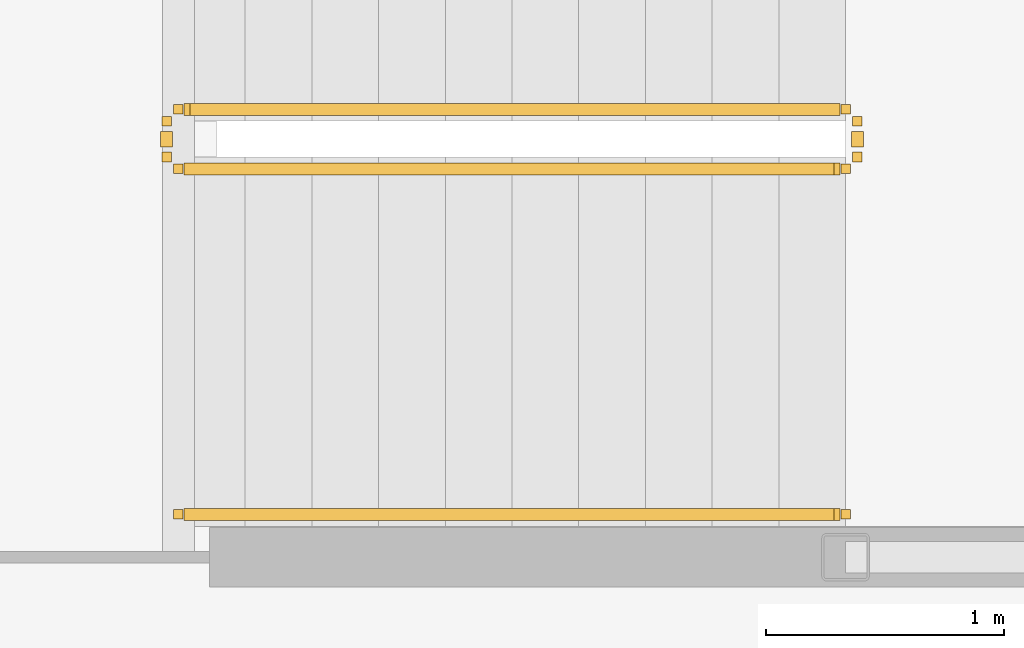
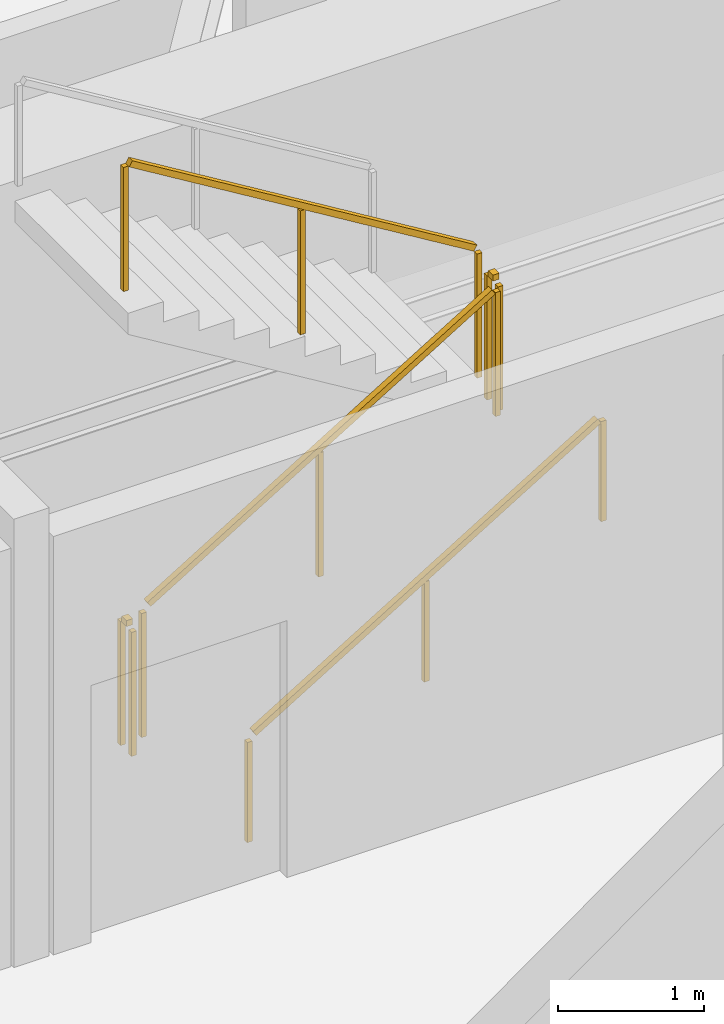
# One storey, part 19 of 20: 5 railings.
"""IFC4 building model written with IfcOpenShell, lengths in metres."""

import ifcopenshell
import ifcopenshell.guid

model = None  # the IFC model being written
_history = None  # IfcOwnerHistory: only IFC2X3 demands one
_inside = {}  # id of a spatial element -> (the spatial element, [elements in it])
_under = {}  # id of a project, library or spatial element -> (it, [spatial elements below it])
_declared = {}  # id of a project -> (the project, [libraries it declares])
_typed = {}  # id of a type object -> (the type object, [elements of that type])
_made_of = {}  # id of a material, layer set ... -> (it, [elements and type objects made of it])


def new_model(schema):
    """Start an empty IFC model of exactly this schema.

    Asked for "IFC4X3", IfcOpenShell would pick the latest addendum, in which some entities
    have other attributes; the version numbers below select the first issue.
    IFC2X3 requires an IfcOwnerHistory on every rooted entity: one is made here for all.
    """
    global model, _history
    if schema == "IFC4X3":
        model = ifcopenshell.file(schema_version=(4, 3, 0, 0))
    else:
        model = ifcopenshell.file(schema=schema)
    _inside.clear()
    _under.clear()
    _declared.clear()
    _typed.clear()
    _made_of.clear()
    _history = None
    if model.schema == "IFC2X3":
        org = make("IfcOrganization", Name="unknown")
        user = make(
            "IfcPersonAndOrganization",
            ThePerson=make("IfcPerson", FamilyName="unknown"),
            TheOrganization=org,
        )
        app = make(
            "IfcApplication",
            ApplicationDeveloper=org,
            Version="unknown",
            ApplicationFullName="unknown",
            ApplicationIdentifier="unknown",
        )
        _history = make(
            "IfcOwnerHistory",
            OwningUser=user,
            OwningApplication=app,
            ChangeAction="ADDED",
            CreationDate=0,
        )
    return model


def make(cls, **values):
    """One entity of the class cls with the attributes given. An attribute that is None is left unset."""
    return model.create_entity(
        cls, **{name: value for name, value in values.items() if value is not None}
    )


def rooted(cls, **values):
    """An entity with a GlobalId (a new one), such as an element, a storey or a relation."""
    return make(cls, GlobalId=ifcopenshell.guid.new(), OwnerHistory=_history, **values)


def si_unit(unit_type, name, prefix=None):
    """IfcSIUnit, for example si_unit("LENGTHUNIT", "METRE", prefix="MILLI")."""
    return make("IfcSIUnit", UnitType=unit_type, Prefix=prefix, Name=name)


def assignment(units):
    """IfcUnitAssignment: the units of a project."""
    return None if units is None else make("IfcUnitAssignment", Units=units)


def point(xyz):
    """IfcCartesianPoint."""
    return None if xyz is None else make("IfcCartesianPoint", Coordinates=xyz)


def direction(xyz):
    """IfcDirection."""
    return None if xyz is None else make("IfcDirection", DirectionRatios=xyz)


def frame(location, z_axis=None, x_axis=None):
    """IfcAxis2Placement3D, a coordinate frame: its origin and axes. An axis left out is left unset."""
    return make(
        "IfcAxis2Placement3D",
        Location=point(location),
        Axis=direction(z_axis),
        RefDirection=direction(x_axis),
    )


def frame_2d(location, x_axis=None):
    """IfcAxis2Placement2D, a coordinate frame in the plane: its origin and x axis."""
    return make(
        "IfcAxis2Placement2D", Location=point(location), RefDirection=direction(x_axis)
    )


def origin():
    """The frame at (0, 0, 0) with its axes left unset."""
    return frame((0.0, 0.0, 0.0))


def origin_2d():
    """The frame at (0, 0) in the plane with its x axis left unset."""
    return frame_2d((0.0, 0.0))


def place(relative_to, where):
    """IfcLocalPlacement: puts the frame where relative to a parent placement (None: the world)."""
    return make(
        "IfcLocalPlacement", PlacementRelTo=relative_to, RelativePlacement=where
    )


def context(
    kind, dimensions, precision=None, world=None, true_north=None, identifier=None
):
    """IfcGeometricRepresentationContext, for example the 3D "Model" context."""
    return make(
        "IfcGeometricRepresentationContext",
        ContextIdentifier=identifier,
        ContextType=kind,
        CoordinateSpaceDimension=dimensions,
        Precision=precision,
        WorldCoordinateSystem=world,
        TrueNorth=true_north,
    )


def subcontext(parent, identifier, kind, view, scale=None):
    """IfcGeometricRepresentationSubContext, for example "Body" below "Model"."""
    return make(
        "IfcGeometricRepresentationSubContext",
        ContextIdentifier=identifier,
        ContextType=kind,
        ParentContext=parent,
        TargetScale=scale,
        TargetView=view,
    )


def project(units=None, contexts=None):
    """IfcProject with its units and contexts."""
    return rooted(
        "IfcProject",
        Name="project",
        RepresentationContexts=contexts,
        UnitsInContext=assignment(units),
    )


def spatial(cls, under=None, at=None, **own):
    """A site, building, storey or space (cls), placed at a placement, below another one or the project."""
    s = rooted(cls, ObjectPlacement=at, **own)
    if under is not None:
        _under.setdefault(under.id(), (under, []))[1].append(s)
    return s


def profile(cls, at=None, kind="AREA", **sizes):
    """A parametric profile (cls). Its sizes go by their IFC names, for example OverallWidth=200.0."""
    return make(cls, ProfileType=kind, Position=at, **sizes)


def rectangle(**sizes):
    """IfcRectangleProfileDef."""
    return profile("IfcRectangleProfileDef", **sizes)


def extrude(swept, where, along, depth):
    """IfcExtrudedAreaSolid: the profile swept, set in the frame where, extruded along a direction by depth."""
    return make(
        "IfcExtrudedAreaSolid",
        SweptArea=swept,
        Position=where,
        ExtrudedDirection=direction(along),
        Depth=depth,
    )


def shape(context_of_items, identifier, shape_type, items):
    """IfcShapeRepresentation: the items that make up one representation, for example the "Body"."""
    return make(
        "IfcShapeRepresentation",
        ContextOfItems=context_of_items,
        RepresentationIdentifier=identifier,
        RepresentationType=shape_type,
        Items=items,
    )


def material(Name=None, Category=None):
    """IfcMaterial."""
    return make("IfcMaterial", Name=Name, Category=Category)


def made_of(thing, what):
    """Note that an element or type object is made of a material, layer set ...; save() writes the relation."""
    if what is not None:
        _made_of.setdefault(what.id(), (what, []))[1].append(thing)
    return thing


def type_object(cls, material=None, **own):
    """A type object (cls), such as IfcWallType, which elements share."""
    return made_of(rooted(cls, **own), material)


def element(
    cls,
    number,
    at=None,
    inside=None,
    cuts=None,
    type_object=None,
    material=None,
    context=None,
    identifier="Body",
    shape_type=None,
    held_by="IfcProductDefinitionShape",
    body=None,
    shapes=None,
    **own,
):
    """One element of the class cls, such as IfcWall. Its Tag is "e" and its number.

    at: its placement. inside: the storey or other place that contains it. cuts: it is an
    opening in that element (IfcRelVoidsElement). A single representation is given by context,
    identifier, shape_type and body (its items); several are given by shapes. held_by: the class
    of the entity that holds the representations. save() writes the other relations.
    """
    e = rooted(cls, Tag="e%d" % number, ObjectPlacement=at, **own)
    if body is not None:
        shapes = [shape(context, identifier, shape_type, body)]
    if shapes is not None:
        e.Representation = make(held_by, Representations=shapes)
    if inside is not None:
        _inside.setdefault(inside.id(), (inside, []))[1].append(e)
    if cuts is not None:
        rooted(
            "IfcRelVoidsElement", RelatingBuildingElement=cuts, RelatedOpeningElement=e
        )
    if type_object is not None:
        _typed.setdefault(type_object.id(), (type_object, []))[1].append(e)
    return made_of(e, material)


def aggregate(whole, parts):
    """IfcRelAggregates: a whole, such as a stair, and the parts it consists of."""
    return rooted("IfcRelAggregates", RelatingObject=whole, RelatedObjects=parts)


def save(model, path):
    """Write the relations noted so far, then the file.

    IfcRelAggregates (storeys below a building ...), IfcRelContainedInSpatialStructure (elements
    in a storey), IfcRelDefinesByType, IfcRelAssociatesMaterial and IfcRelDeclares: one each for
    every whole, place, type object, material and project.
    """
    for whole, parts in _under.values():
        aggregate(whole, parts)
    for where, things in _inside.values():
        rooted(
            "IfcRelContainedInSpatialStructure",
            RelatedElements=things,
            RelatingStructure=where,
        )
    for kind, things in _typed.values():
        rooted("IfcRelDefinesByType", RelatedObjects=things, RelatingType=kind)
    for what, things in _made_of.values():
        rooted("IfcRelAssociatesMaterial", RelatedObjects=things, RelatingMaterial=what)
    for by, libraries in _declared.values():
        rooted("IfcRelDeclares", RelatingContext=by, RelatedDefinitions=libraries)
    model.write(path)


model = new_model("IFC4")

# Units and contexts
model_context = context("Model", 3, precision=1e-05, world=origin(), true_north=direction((0.0, 1.0)))
body_context = subcontext(model_context, "Body", "Model", "MODEL_VIEW")
ifc_project = project(units=[si_unit("LENGTHUNIT", "METRE"), si_unit("AREAUNIT", "SQUARE_METRE"), si_unit("VOLUMEUNIT", "CUBIC_METRE"), si_unit("PLANEANGLEUNIT", "RADIAN"), si_unit("MASSUNIT", "GRAM", prefix="KILO")], contexts=[model_context])

# Site, building, storey
site_placement = place(None, origin())
site = spatial("IfcSite", under=ifc_project, at=site_placement, CompositionType="ELEMENT")
building_placement = place(site_placement, origin())
building = spatial("IfcBuilding", under=site, at=building_placement, Name="Kazma Halo Residences", CompositionType="ELEMENT")
storey_placement = place(building_placement, frame((0.0, 0.0, 139.050048828125)))
storey = spatial("IfcBuildingStorey", under=building, at=storey_placement, Name="L34", CompositionType="ELEMENT", Elevation=139.050048828125)

# Railings
ifc_material_1 = material(Name="Painted Steel S355", Category="steel")
railing_type_1 = type_object("IfcRailingType", Name="RLG-STAIR-GRD-1100", PredefinedType="GUARDRAIL", material=ifc_material_1)
railing_1_placement = place(storey_placement, frame((53.199951171875, 48.25, 0.17041015625)))
element("IfcRailing", 1, at=railing_1_placement, inside=storey, type_object=railing_type_1, Name="L34 ST-02 stair guard 1", PredefinedType="GUARDRAIL", context=body_context, shape_type="SweptSolid", body=[
    extrude(rectangle(XDim=0.050048828125, YDim=0.050048828125, at=origin_2d()), frame((0.036376953125, 0.0, 1.09716796875), z_axis=(0.854169791009, 0.0, 0.51999420009), x_axis=(0.0, 1.0, 0.0)), (0.0, 0.0, 1.0), 3.193115234375),
    extrude(rectangle(XDim=0.0400390625, YDim=0.0400390625, at=origin_2d()), origin(), (0.0, 0.0, 1.0), 1.0380859375),
    extrude(rectangle(XDim=0.0400390625, YDim=0.0400390625, at=origin_2d()), frame((1.39990234375, 0.0, 0.852294921875)), (0.0, 0.0, 1.0), 1.0380859375),
    extrude(rectangle(XDim=0.0400390625, YDim=0.0400390625, at=origin_2d()), frame((2.800048828125, 0.0, 1.70458984375)), (0.0, 0.0, 1.0), 1.0380859375),
])
railing_2_placement = place(storey_placement, frame((56.050048828125, 48.300048828125, 1.875)))
element("IfcRailing", 2, at=railing_2_placement, inside=storey, type_object=railing_type_1, Name="L34 ST-02 stair guard 2", PredefinedType="GUARDRAIL", context=body_context, shape_type="SweptSolid", body=[
    extrude(rectangle(XDim=0.050048828125, YDim=0.050048828125, at=origin_2d()), frame((0.0, 0.04248046875, 1.0751953125), z_axis=(0.0, 1.0, 0.0), x_axis=(-1.0, 0.0, 0.0)), (0.0, 0.0, 1.0), 0.06494140625),
    extrude(rectangle(XDim=0.0400390625, YDim=0.0400390625, at=origin_2d()), origin(), (0.0, 0.0, 1.0), 1.0380859375),
    extrude(rectangle(XDim=0.0400390625, YDim=0.0400390625, at=origin_2d()), frame((0.0, 0.14990234375, 0.0)), (0.0, 0.0, 1.0), 1.0380859375),
])
railing_3_placement = place(storey_placement, frame((56.0, 48.5, 2.04541015625)))
element("IfcRailing", 3, at=railing_3_placement, inside=storey, type_object=railing_type_1, Name="L34 ST-02 stair guard 3", PredefinedType="GUARDRAIL", context=body_context, shape_type="SweptSolid", body=[
    extrude(rectangle(XDim=0.050048828125, YDim=0.050048828125, at=origin_2d()), frame((-0.036376953125, 0.0, 1.09716796875), z_axis=(-0.854169791009, 0.0, 0.51999420009), x_axis=(0.0, -1.0, 0.0)), (0.0, 0.0, 1.0), 3.193115234375),
    extrude(rectangle(XDim=0.0400390625, YDim=0.0400390625, at=origin_2d()), origin(), (0.0, 0.0, 1.0), 1.0380859375),
    extrude(rectangle(XDim=0.0400390625, YDim=0.0400390625, at=origin_2d()), frame((-1.39990234375, 0.0, 0.852294921875)), (0.0, 0.0, 1.0), 1.0380859375),
    extrude(rectangle(XDim=0.0400390625, YDim=0.0400390625, at=origin_2d()), frame((-2.800048828125, 0.0, 1.70458984375)), (0.0, 0.0, 1.0), 1.0380859375),
])
railing_4_placement = place(storey_placement, frame((53.14990234375, 48.300048828125, 0.0)))
element("IfcRailing", 4, at=railing_4_placement, inside=storey, type_object=railing_type_1, Name="L34 ST-02 stair guard 4", PredefinedType="GUARDRAIL", context=body_context, shape_type="SweptSolid", body=[
    extrude(rectangle(XDim=0.050048828125, YDim=0.050048828125, at=origin_2d()), frame((0.0, 0.04248046875, 1.0751953125), z_axis=(0.0, 1.0, 0.0), x_axis=(-1.0, 0.0, 0.0)), (0.0, 0.0, 1.0), 0.06494140625),
    extrude(rectangle(XDim=0.0400390625, YDim=0.0400390625, at=origin_2d()), origin(), (0.0, 0.0, 1.0), 1.0380859375),
    extrude(rectangle(XDim=0.0400390625, YDim=0.0400390625, at=origin_2d()), frame((0.0, 0.14990234375, 0.0)), (0.0, 0.0, 1.0), 1.0380859375),
])
ifc_material_2 = material(Name="Brushed Stainless Steel", Category="steel")
railing_type_2 = type_object("IfcRailingType", Name="RLG-STAIR-HND-900", PredefinedType="HANDRAIL", material=ifc_material_2)
railing_5_placement = place(storey_placement, frame((53.199951171875, 46.800048828125, 0.17041015625)))
element("IfcRailing", 5, at=railing_5_placement, inside=storey, type_object=railing_type_2, Name="L34 ST-02 stair handrail 1", PredefinedType="HANDRAIL", context=body_context, shape_type="SweptSolid", body=[
    extrude(rectangle(XDim=0.050048828125, YDim=0.050048828125, at=origin_2d()), frame((0.036376953125, 0.0, 0.89697265625), z_axis=(0.854169791009, 0.0, 0.51999420009), x_axis=(0.0, 1.0, 0.0)), (0.0, 0.0, 1.0), 3.193115234375),
    extrude(rectangle(XDim=0.0400390625, YDim=0.0400390625, at=origin_2d()), origin(), (0.0, 0.0, 1.0), 0.837890625),
    extrude(rectangle(XDim=0.0400390625, YDim=0.0400390625, at=origin_2d()), frame((1.39990234375, 0.0, 0.852294921875)), (0.0, 0.0, 1.0), 0.837890625),
    extrude(rectangle(XDim=0.0400390625, YDim=0.0400390625, at=origin_2d()), frame((2.800048828125, 0.0, 1.70458984375)), (0.0, 0.0, 1.0), 0.837890625),
])

save(model, "model.ifc")
